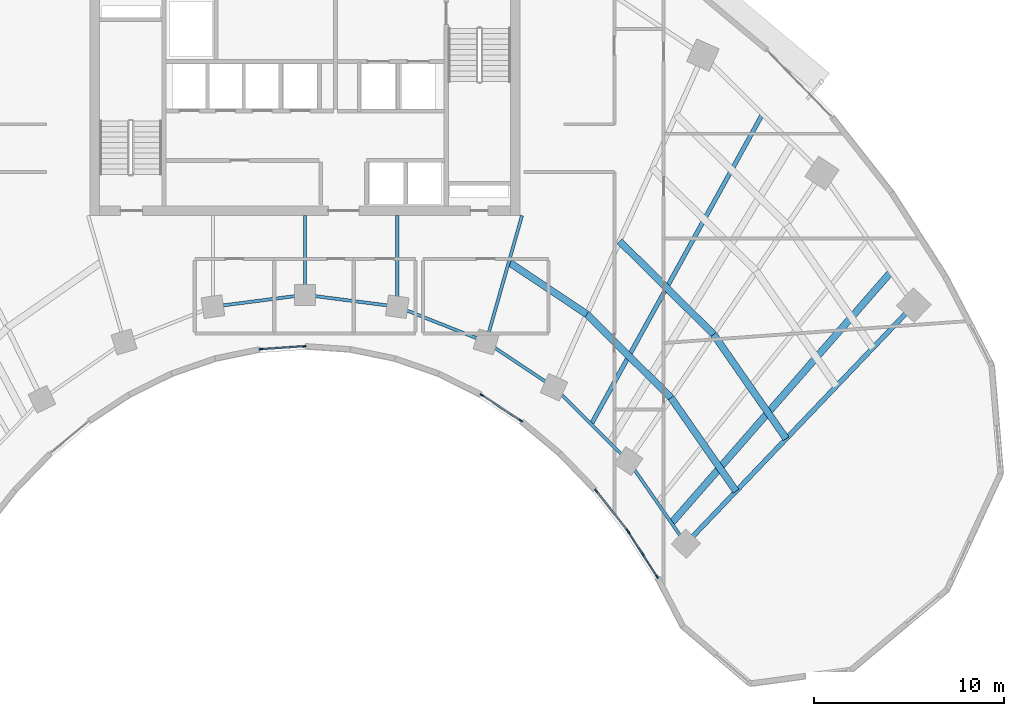
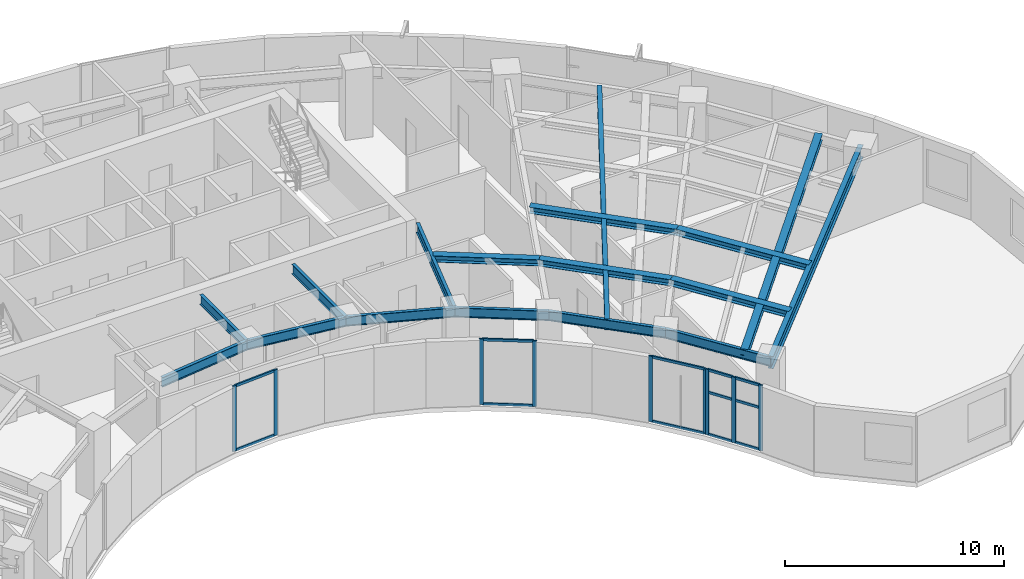
# One storey, part 3 of 14: 21 members, 17 beams, 4 elements without a shape of their own.
"""IFC4 building model written with IfcOpenShell, lengths in metres."""

from ifc_helpers import new_model, si_unit, direction, frame, origin, origin_2d, place, context, subcontext, project, spatial, rectangle, i_section, extrude, source, transform, mapped, material, layer, layer_set, material_profile, profile_set, type_object, type_shapes, element, aggregate, save


model = new_model("IFC4")

# Units and contexts
model_context = context("Model", 3, precision=1e-05, world=origin(), true_north=direction((0.0, 1.0)))
body_context = subcontext(model_context, "Body", "Model", "MODEL_VIEW")
ifc_project = project(units=[si_unit("LENGTHUNIT", "METRE"), si_unit("AREAUNIT", "SQUARE_METRE"), si_unit("VOLUMEUNIT", "CUBIC_METRE"), si_unit("PLANEANGLEUNIT", "RADIAN"), si_unit("MASSUNIT", "GRAM", prefix="KILO")], contexts=[model_context])

# Site, building, storey
site_placement = place(None, origin())
site = spatial("IfcSite", under=ifc_project, at=site_placement, CompositionType="ELEMENT")
building_placement = place(site_placement, origin())
building = spatial("IfcBuilding", under=site, at=building_placement, Name="Breltana Convention Tower", CompositionType="ELEMENT")
storey_placement = place(building_placement, frame((0.0, 0.0, 99.89990234375)))
storey = spatial("IfcBuildingStorey", under=building, at=storey_placement, Name="L23", CompositionType="ELEMENT", Elevation=99.89990234375)

# Beams
ifc_material_1 = material(Name="Steel ASTM A992 Grade 50", Category="steel")
ifc_material_profile_1 = material_profile(ifc_material_1, i_section(OverallWidth=0.25390625, OverallDepth=0.68798828125, WebThickness=0.01318359375, FlangeThickness=0.02099609375, at=origin_2d()), Name="W27X102")
ifc_profile_set_1 = profile_set([ifc_material_profile_1], Name="Steel ASTM A992 Grade 50")
beam_type_1 = type_object("IfcBeamType", Name="BM-RG-W27X102", PredefinedType="USERDEFINED", material=ifc_profile_set_1)
shared_shape_1 = source(origin(), body_context, "Body", "SweptSolid", [
    extrude(i_section(OverallWidth=0.25390625, OverallDepth=0.68798828125, WebThickness=0.01318359375, FlangeThickness=0.02099609375, at=origin_2d()), origin(), (0.0, 0.0, 1.0), 17.341064453125),
])
type_shapes(beam_type_1, [shared_shape_1])
beam_1_placement = place(storey_placement, frame((68.015380859375, 42.95458984375, 3.30615234375), z_axis=(0.690716462293, 0.723125693581, 0.0), x_axis=(-0.723125693581, 0.690716462293, 0.0)))
element("IfcBeam", 1, at=beam_1_placement, inside=storey, type_object=beam_type_1, Name="L23 Radial Floor Girder R11", ObjectType="GIRDER", PredefinedType="USERDEFINED", context=body_context, shape_type="MappedRepresentation", body=[
    mapped(shared_shape_1, transform((0.0, 0.0, 0.0), scale=1.0)),
])
ifc_material_profile_2 = material_profile(ifc_material_1, i_section(OverallWidth=0.166015625, OverallDepth=0.534912109375, WebThickness=0.01025390625, FlangeThickness=0.0166015625, at=origin_2d()), Name="W21X57")
ifc_profile_set_2 = profile_set([ifc_material_profile_2], Name="Steel ASTM A992 Grade 50")
beam_type_2 = type_object("IfcBeamType", Name="BM-BM-W21X57", PredefinedType="BEAM", material=ifc_profile_set_2)
shared_shape_2 = source(origin(), body_context, "Body", "SweptSolid", [
    extrude(i_section(OverallWidth=0.166015625, OverallDepth=0.534912109375, WebThickness=0.01025390625, FlangeThickness=0.0166015625, at=origin_2d()), origin(), (0.0, 0.0, 1.0), 6.904541015625),
])
type_shapes(beam_type_2, [shared_shape_2])
beam_2_placement = place(storey_placement, frame((59.39990234375, 60.199951171875, 3.382568359375), z_axis=(-0.273006781054, -0.962012108811, 0.0), x_axis=(0.962012108811, -0.273006781054, 0.0)))
element("IfcBeam", 2, at=beam_2_placement, inside=storey, type_object=beam_type_2, Name="L23 South Core Tie Girder R08", PredefinedType="BEAM", context=body_context, shape_type="MappedRepresentation", body=[
    mapped(shared_shape_2, transform((0.0, 0.0, 0.0), scale=1.0)),
])
shared_shape_3 = source(origin(), body_context, "Body", "SweptSolid", [
    extrude(i_section(OverallWidth=0.166015625, OverallDepth=0.534912109375, WebThickness=0.01025390625, FlangeThickness=0.0166015625, at=origin_2d()), origin(), (0.0, 0.0, 1.0), 4.789306640625),
])
beam_3_placement = place(storey_placement, frame((52.846435546875, 60.199951171875, 3.382568359375), z_axis=(0.0, -1.0, 0.0), x_axis=(1.0, 0.0, 0.0)))
element("IfcBeam", 3, at=beam_3_placement, inside=storey, type_object=beam_type_2, Name="L23 South Core Tie Girder R07", PredefinedType="BEAM", context=body_context, shape_type="MappedRepresentation", body=[
    mapped(shared_shape_3, transform((0.0, 0.0, 0.0), scale=1.0)),
])
shared_shape_4 = source(origin(), body_context, "Body", "SweptSolid", [
    extrude(i_section(OverallWidth=0.166015625, OverallDepth=0.534912109375, WebThickness=0.01025390625, FlangeThickness=0.0166015625, at=origin_2d()), origin(), (0.0, 0.0, 1.0), 4.1640625),
])
beam_4_placement = place(storey_placement, frame((48.0, 60.199951171875, 3.382568359375), z_axis=(0.0, -1.0, 0.0), x_axis=(1.0, 0.0, 0.0)))
element("IfcBeam", 4, at=beam_4_placement, inside=storey, type_object=beam_type_2, Name="L23 South Core Tie Girder R06", PredefinedType="BEAM", context=body_context, shape_type="MappedRepresentation", body=[
    mapped(shared_shape_4, transform((0.0, 0.0, 0.0), scale=1.0)),
])
shared_shape_5 = source(origin(), body_context, "Body", "SweptSolid", [
    extrude(i_section(OverallWidth=0.166015625, OverallDepth=0.534912109375, WebThickness=0.01025390625, FlangeThickness=0.0166015625, at=origin_2d()), origin(), (0.0, 0.0, 1.0), 5.022705078125),
])
beam_5_placement = place(storey_placement, frame((52.846435546875, 55.41064453125, 3.382568359375), z_axis=(0.929458966248, -0.368925507469, 0.0), x_axis=(0.368925507469, 0.929458966248, 0.0)))
element("IfcBeam", 5, at=beam_5_placement, inside=storey, type_object=beam_type_2, Name="L23 Inner Ring Beam 07", PredefinedType="BEAM", context=body_context, shape_type="MappedRepresentation", body=[
    mapped(shared_shape_5, transform((0.0, 0.0, 0.0), scale=1.0)),
])
shared_shape_6 = source(origin(), body_context, "Body", "SweptSolid", [
    extrude(i_section(OverallWidth=0.166015625, OverallDepth=0.534912109375, WebThickness=0.01025390625, FlangeThickness=0.0166015625, at=origin_2d()), origin(), (0.0, 0.0, 1.0), 4.88671875),
])
for number, where, z_axis, x_axis, name in (
    (6, (43.153564453125, 55.41064453125, 3.382568359375), (0.991780525565, 0.127950729231, 0.0), (-0.127950729231, 0.991780525565, 0.0), "L23 Inner Ring Beam 05"),
    (7, (48.0, 56.035888671875, 3.382568359375), (0.991780525565, -0.127950729231, 0.0), (0.127950729231, 0.991780525565, 0.0), "L23 Inner Ring Beam 06"),
):
    element("IfcBeam", number, at=place(storey_placement, frame(where, z_axis=z_axis, x_axis=x_axis)), inside=storey, type_object=beam_type_2, Name=name, PredefinedType="BEAM", context=body_context, shape_type="MappedRepresentation", body=[
        mapped(shared_shape_6, transform((0.0, 0.0, 0.0), scale=1.0)),
    ])
shared_shape_7 = source(origin(), body_context, "Body", "SweptSolid", [
    extrude(i_section(OverallWidth=0.166015625, OverallDepth=0.534912109375, WebThickness=0.01025390625, FlangeThickness=0.0166015625, at=origin_2d()), origin(), (0.0, 0.0, 1.0), 4.2900390625),
])
beam_6_placement = place(storey_placement, frame((57.514892578125, 53.5576171875, 3.382568359375), z_axis=(0.831515827753, -0.555501060482, 0.0), x_axis=(0.555501060482, 0.831515827753, 0.0)))
element("IfcBeam", 8, at=beam_6_placement, inside=storey, type_object=beam_type_2, Name="L23 Inner Ring Beam 08", PredefinedType="BEAM", context=body_context, shape_type="MappedRepresentation", body=[
    mapped(shared_shape_7, transform((0.0, 0.0, 0.0), scale=1.0)),
])
shared_shape_8 = source(origin(), body_context, "Body", "SweptSolid", [
    extrude(i_section(OverallWidth=0.166015625, OverallDepth=0.534912109375, WebThickness=0.01025390625, FlangeThickness=0.0166015625, at=origin_2d()), origin(), (0.0, 0.0, 1.0), 5.51171875),
])
beam_7_placement = place(storey_placement, frame((61.08203125, 51.174560546875, 3.382568359375), z_axis=(0.710090360749, -0.704110559196, 0.0), x_axis=(0.704110559196, 0.710090360749, 0.0)))
element("IfcBeam", 9, at=beam_7_placement, inside=storey, type_object=beam_type_2, Name="L23 Inner Ring Beam 09", PredefinedType="BEAM", context=body_context, shape_type="MappedRepresentation", body=[
    mapped(shared_shape_8, transform((0.0, 0.0, 0.0), scale=1.0)),
])
shared_shape_9 = source(origin(), body_context, "Body", "SweptSolid", [
    extrude(i_section(OverallWidth=0.166015625, OverallDepth=0.534912109375, WebThickness=0.01025390625, FlangeThickness=0.0166015625, at=origin_2d()), origin(), (0.0, 0.0, 1.0), 5.286376953125),
])
beam_8_placement = place(storey_placement, frame((64.995849609375, 47.293701171875, 3.382568359375), z_axis=(0.571194382458, -0.82081482531, 0.0), x_axis=(0.82081482531, 0.571194382458, 0.0)))
element("IfcBeam", 10, at=beam_8_placement, inside=storey, type_object=beam_type_2, Name="L23 Inner Ring Beam 10", PredefinedType="BEAM", context=body_context, shape_type="MappedRepresentation", body=[
    mapped(shared_shape_9, transform((0.0, 0.0, 0.0), scale=1.0)),
])
ifc_material_profile_3 = material_profile(ifc_material_1, i_section(OverallWidth=0.368896484375, OverallDepth=0.35595703125, WebThickness=0.01123046875, FlangeThickness=0.01806640625, at=origin_2d()), Name="W14X90")
ifc_profile_set_3 = profile_set([ifc_material_profile_3], Name="Steel ASTM A992 Grade 50")
beam_type_3 = type_object("IfcBeamType", Name="BM-JSG-09", PredefinedType="JOIST", material=ifc_profile_set_3)
shared_shape_10 = source(origin(), body_context, "Body", "SweptSolid", [
    extrude(i_section(OverallWidth=0.368896484375, OverallDepth=0.35595703125, WebThickness=0.01123046875, FlangeThickness=0.01806640625, at=origin_2d()), origin(), (0.0, 0.0, 1.0), 4.854736328125),
])
beam_9_placement = place(storey_placement, frame((58.767578125, 57.71240234375, 3.47216796875), z_axis=(0.831485074305, -0.555547091801, 0.0), x_axis=(0.555547091801, 0.831485074305, 0.0)))
element("IfcBeam", 11, at=beam_9_placement, inside=storey, type_object=beam_type_3, Name="L23 Composite Floor Joist 08.1", PredefinedType="JOIST", context=body_context, shape_type="MappedRepresentation", body=[
    mapped(shared_shape_10, transform((0.0, 0.0, 0.0), scale=1.0)),
])
shared_shape_11 = source(origin(), body_context, "Body", "SweptSolid", [
    extrude(i_section(OverallWidth=0.368896484375, OverallDepth=0.35595703125, WebThickness=0.01123046875, FlangeThickness=0.01806640625, at=origin_2d()), origin(), (0.0, 0.0, 1.0), 6.2373046875),
])
beam_10_placement = place(storey_placement, frame((62.80419921875, 55.015380859375, 3.47216796875), z_axis=(0.710114292485, -0.704086423394, 0.0), x_axis=(0.704086423394, 0.710114292485, 0.0)))
element("IfcBeam", 12, at=beam_10_placement, inside=storey, type_object=beam_type_3, Name="L23 Composite Floor Joist 09.1", PredefinedType="JOIST", context=body_context, shape_type="MappedRepresentation", body=[
    mapped(shared_shape_11, transform((0.0, 0.0, 0.0), scale=1.0)),
])
shared_shape_12 = source(origin(), body_context, "Body", "SweptSolid", [
    extrude(i_section(OverallWidth=0.368896484375, OverallDepth=0.35595703125, WebThickness=0.01123046875, FlangeThickness=0.01806640625, at=origin_2d()), origin(), (0.0, 0.0, 1.0), 6.963134765625),
])
beam_11_placement = place(storey_placement, frame((64.526611328125, 58.8564453125, 3.47216796875), z_axis=(0.71009817493, -0.704102678564, 0.0), x_axis=(0.704102678564, 0.71009817493, 0.0)))
element("IfcBeam", 13, at=beam_11_placement, inside=storey, type_object=beam_type_3, Name="L23 Composite Floor Joist 09.2", PredefinedType="JOIST", context=body_context, shape_type="MappedRepresentation", body=[
    mapped(shared_shape_12, transform((0.0, 0.0, 0.0), scale=1.0)),
])
ifc_material_profile_4 = material_profile(ifc_material_1, i_section(OverallWidth=0.22802734375, OverallDepth=0.60791015625, WebThickness=0.01123046875, FlangeThickness=0.017333984375, at=origin_2d()), Name="W24X76")
ifc_profile_set_4 = profile_set([ifc_material_profile_4], Name="Steel ASTM A992 Grade 50")
beam_type_4 = type_object("IfcBeamType", Name="BM-JSG-02", PredefinedType="JOIST", material=ifc_profile_set_4)
shared_shape_13 = source(origin(), body_context, "Body", "SweptSolid", [
    extrude(i_section(OverallWidth=0.22802734375, OverallDepth=0.60791015625, WebThickness=0.01123046875, FlangeThickness=0.017333984375, at=origin_2d()), origin(), (0.0, 0.0, 1.0), 18.617431640625),
])
beam_12_placement = place(storey_placement, frame((63.038818359375, 49.234130859375, 3.34619140625), z_axis=(0.483405602507, 0.875396495004, 0.0), x_axis=(-0.875396495004, 0.483405602507, 0.0)))
element("IfcBeam", 14, at=beam_12_placement, inside=storey, type_object=beam_type_4, Name="L23 Mid-Bay Radial Trimmer 09", PredefinedType="JOIST", context=body_context, shape_type="MappedRepresentation", body=[
    mapped(shared_shape_13, transform((0.0, 0.0, 0.0), scale=1.0)),
])
shared_shape_14 = source(origin(), body_context, "Body", "SweptSolid", [
    extrude(i_section(OverallWidth=0.368896484375, OverallDepth=0.35595703125, WebThickness=0.01123046875, FlangeThickness=0.01806640625, at=origin_2d()), origin(), (0.0, 0.0, 1.0), 5.982421875),
])
beam_13_placement = place(storey_placement, frame((67.2333984375, 50.623779296875, 3.47216796875), z_axis=(0.571211549446, -0.82080287876, 0.0), x_axis=(0.82080287876, 0.571211549446, 0.0)))
element("IfcBeam", 15, at=beam_13_placement, inside=storey, type_object=beam_type_3, Name="L23 Composite Floor Joist 10.1", PredefinedType="JOIST", context=body_context, shape_type="MappedRepresentation", body=[
    mapped(shared_shape_14, transform((0.0, 0.0, 0.0), scale=1.0)),
])
shared_shape_15 = source(origin(), body_context, "Body", "SweptSolid", [
    extrude(i_section(OverallWidth=0.368896484375, OverallDepth=0.35595703125, WebThickness=0.01123046875, FlangeThickness=0.01806640625, at=origin_2d()), origin(), (0.0, 0.0, 1.0), 6.677978515625),
])
beam_14_placement = place(storey_placement, frame((69.47119140625, 53.95361328125, 3.47216796875), z_axis=(0.571193018768, -0.820815774282, 0.0), x_axis=(0.820815774282, 0.571193018768, 0.0)))
element("IfcBeam", 16, at=beam_14_placement, inside=storey, type_object=beam_type_3, Name="L23 Composite Floor Joist 10.2", PredefinedType="JOIST", context=body_context, shape_type="MappedRepresentation", body=[
    mapped(shared_shape_15, transform((0.0, 0.0, 0.0), scale=1.0)),
])
shared_shape_16 = source(origin(), body_context, "Body", "SweptSolid", [
    extrude(i_section(OverallWidth=0.368896484375, OverallDepth=0.35595703125, WebThickness=0.01123046875, FlangeThickness=0.01806640625, at=origin_2d()), origin(), (0.0, 0.0, 1.0), 17.515625),
])
beam_15_placement = place(storey_placement, frame((67.260498046875, 44.03955078125, 3.47216796875), z_axis=(0.658051548324, 0.752972881151, 0.0), x_axis=(-0.752972881151, 0.658051548324, 0.0)))
element("IfcBeam", 17, at=beam_15_placement, inside=storey, type_object=beam_type_3, Name="L23 Quarter-Bay Radial Trimmer 10", PredefinedType="JOIST", context=body_context, shape_type="MappedRepresentation", body=[
    mapped(shared_shape_16, transform((0.0, 0.0, 0.0), scale=1.0)),
])

# Curtain wall, members
ifc_material_2 = material(Name="Aluminium Anodised Bronze Frame", Category="aluminium")
ifc_layer = layer(ifc_material_2, 0.18994140625, Name="Aluminium Anodised Bronze Frame")
ifc_layer_set = layer_set([ifc_layer], Name="Aluminium Anodised Bronze Frame")
curtain_wall_type = type_object("IfcCurtainWallType", Name="CW-SYS-1", PredefinedType="NOTDEFINED", material=ifc_layer_set)
curtain_wall_1_placement = place(storey_placement, origin())
curtain_wall_1 = element("IfcCurtainWall", 18, at=curtain_wall_1_placement, inside=storey, type_object=curtain_wall_type, Name="L23 inner south-court glazing 1", PredefinedType="NOTDEFINED")
ifc_material_3 = material(Name="Aluminium Anodised Bronze", Category="aluminium")
ifc_material_profile_5 = material_profile(ifc_material_3, rectangle(XDim=0.080078125, YDim=0.139892578125, at=origin_2d()), Name="CWT-80X140")
ifc_profile_set_5 = profile_set([ifc_material_profile_5], Name="Aluminium Anodised Bronze")
member_type_1 = type_object("IfcMemberType", Name="CWT-140", PredefinedType="USERDEFINED", material=ifc_profile_set_5)
shared_shape_17 = source(origin(), body_context, "Body", "SweptSolid", [
    extrude(rectangle(XDim=0.080078125, YDim=0.139892578125, at=origin_2d()), origin(), (0.0, 0.0, 1.0), 1.30029296875),
])
member_1_placement = place(storey_placement, frame((66.4794921875, 41.259521484375, 0.0400390625), z_axis=(-0.540188084224, 0.841544314735, 0.0), x_axis=(-0.841544314735, -0.540188084224, 0.0)))
member_1 = element("IfcMember", 19, at=member_1_placement, type_object=member_type_1, Name="CW-01 transom 1.1", ObjectType="TRANSOM", PredefinedType="USERDEFINED", context=body_context, shape_type="MappedRepresentation", body=[
    mapped(shared_shape_17, transform((0.0, 0.0, 0.0), scale=1.0)),
])
member_2_placement = place(storey_placement, frame((66.4794921875, 41.259521484375, 2.37255859375), z_axis=(-0.540188084224, 0.841544314735, 0.0), x_axis=(-0.841544314735, -0.540188084224, 0.0)))
member_2 = element("IfcMember", 20, at=member_2_placement, type_object=member_type_1, Name="CW-01 transom 1.2", ObjectType="TRANSOM", PredefinedType="USERDEFINED", context=body_context, shape_type="MappedRepresentation", body=[
    mapped(shared_shape_17, transform((0.0, 0.0, 0.0), scale=1.0)),
])
member_3_placement = place(storey_placement, frame((66.4794921875, 41.259521484375, 3.610107421875), z_axis=(-0.540188084224, 0.841544314735, 0.0), x_axis=(-0.841544314735, -0.540188084224, 0.0)))
member_3 = element("IfcMember", 21, at=member_3_placement, type_object=member_type_1, Name="CW-01 transom 1.3", ObjectType="TRANSOM", PredefinedType="USERDEFINED", context=body_context, shape_type="MappedRepresentation", body=[
    mapped(shared_shape_17, transform((0.0, 0.0, 0.0), scale=1.0)),
])
shared_shape_18 = source(origin(), body_context, "Body", "SweptSolid", [
    extrude(rectangle(XDim=0.080078125, YDim=0.139892578125, at=origin_2d()), origin(), (0.0, 0.0, 1.0), 1.300048828125),
])
member_4_placement = place(storey_placement, frame((65.73388671875, 42.4208984375, 0.0400390625), z_axis=(-0.540140453972, 0.841574886735, 0.0), x_axis=(-0.841574886735, -0.540140453972, 0.0)))
member_4 = element("IfcMember", 22, at=member_4_placement, type_object=member_type_1, Name="CW-01 transom 2.1", ObjectType="TRANSOM", PredefinedType="USERDEFINED", context=body_context, shape_type="MappedRepresentation", body=[
    mapped(shared_shape_18, transform((0.0, 0.0, 0.0), scale=1.0)),
])
member_5_placement = place(storey_placement, frame((65.73388671875, 42.4208984375, 2.37255859375), z_axis=(-0.540140453972, 0.841574886735, 0.0), x_axis=(-0.841574886735, -0.540140453972, 0.0)))
member_5 = element("IfcMember", 23, at=member_5_placement, type_object=member_type_1, Name="CW-01 transom 2.2", ObjectType="TRANSOM", PredefinedType="USERDEFINED", context=body_context, shape_type="MappedRepresentation", body=[
    mapped(shared_shape_18, transform((0.0, 0.0, 0.0), scale=1.0)),
])
member_6_placement = place(storey_placement, frame((65.73388671875, 42.4208984375, 3.610107421875), z_axis=(-0.540140453972, 0.841574886735, 0.0), x_axis=(-0.841574886735, -0.540140453972, 0.0)))
member_6 = element("IfcMember", 24, at=member_6_placement, type_object=member_type_1, Name="CW-01 transom 2.3", ObjectType="TRANSOM", PredefinedType="USERDEFINED", context=body_context, shape_type="MappedRepresentation", body=[
    mapped(shared_shape_18, transform((0.0, 0.0, 0.0), scale=1.0)),
])

curtain_wall_2_placement = place(storey_placement, origin())
curtain_wall_2 = element("IfcCurtainWall", 25, at=curtain_wall_2_placement, inside=storey, type_object=curtain_wall_type, Name="L23 inner south-court glazing 2", PredefinedType="NOTDEFINED")
shared_shape_19 = source(origin(), body_context, "Body", "SweptSolid", [
    extrude(rectangle(XDim=0.080078125, YDim=0.139892578125, at=origin_2d()), origin(), (0.0, 0.0, 1.0), 2.6005859375),
])
member_7_placement = place(storey_placement, frame((64.928955078125, 43.6591796875, 0.0400390625), z_axis=(-0.618078566977, 0.786116330478, 0.0), x_axis=(-0.786116330478, -0.618078566977, 0.0)))
member_7 = element("IfcMember", 26, at=member_7_placement, type_object=member_type_1, Name="CW-01 transom 1.1", ObjectType="TRANSOM", PredefinedType="USERDEFINED", context=body_context, shape_type="MappedRepresentation", body=[
    mapped(shared_shape_19, transform((0.0, 0.0, 0.0), scale=1.0)),
])
member_8_placement = place(storey_placement, frame((64.928955078125, 43.6591796875, 3.610107421875), z_axis=(-0.618078566977, 0.786116330478, 0.0), x_axis=(-0.786116330478, -0.618078566977, 0.0)))
member_8 = element("IfcMember", 27, at=member_8_placement, type_object=member_type_1, Name="CW-01 transom 1.2", ObjectType="TRANSOM", PredefinedType="USERDEFINED", context=body_context, shape_type="MappedRepresentation", body=[
    mapped(shared_shape_19, transform((0.0, 0.0, 0.0), scale=1.0)),
])

curtain_wall_3_placement = place(storey_placement, origin())
curtain_wall_3 = element("IfcCurtainWall", 28, at=curtain_wall_3_placement, inside=storey, type_object=curtain_wall_type, Name="L23 inner south-court glazing 3", PredefinedType="NOTDEFINED")
shared_shape_20 = source(origin(), body_context, "Body", "SweptSolid", [
    extrude(rectangle(XDim=0.080078125, YDim=0.139892578125, at=origin_2d()), origin(), (0.0, 0.0, 1.0), 2.3671875),
])
member_9_placement = place(storey_placement, frame((59.3037109375, 49.443115234375, 0.0400390625), z_axis=(-0.835979901311, 0.548760061051, 0.0), x_axis=(-0.548760061051, -0.835979901311, 0.0)))
member_9 = element("IfcMember", 29, at=member_9_placement, type_object=member_type_1, Name="CW-01 transom 1.1", ObjectType="TRANSOM", PredefinedType="USERDEFINED", context=body_context, shape_type="MappedRepresentation", body=[
    mapped(shared_shape_20, transform((0.0, 0.0, 0.0), scale=1.0)),
])
member_10_placement = place(storey_placement, frame((59.3037109375, 49.443115234375, 3.610107421875), z_axis=(-0.835979901311, 0.548760061051, 0.0), x_axis=(-0.548760061051, -0.835979901311, 0.0)))
member_10 = element("IfcMember", 30, at=member_10_placement, type_object=member_type_1, Name="CW-01 transom 1.2", ObjectType="TRANSOM", PredefinedType="USERDEFINED", context=body_context, shape_type="MappedRepresentation", body=[
    mapped(shared_shape_20, transform((0.0, 0.0, 0.0), scale=1.0)),
])

curtain_wall_4_placement = place(storey_placement, origin())
curtain_wall_4 = element("IfcCurtainWall", 31, at=curtain_wall_4_placement, inside=storey, type_object=curtain_wall_type, Name="L23 inner south-court glazing 4", PredefinedType="NOTDEFINED")
shared_shape_21 = source(origin(), body_context, "Body", "SweptSolid", [
    extrude(rectangle(XDim=0.080078125, YDim=0.139892578125, at=origin_2d()), origin(), (0.0, 0.0, 1.0), 2.195068359375),
])
member_11_placement = place(storey_placement, frame((47.907958984375, 53.3291015625, 0.0400390625), z_axis=(-0.99770320904, -0.067737040614, 0.0), x_axis=(0.067737040614, -0.99770320904, 0.0)))
member_11 = element("IfcMember", 32, at=member_11_placement, type_object=member_type_1, Name="CW-01 transom 1.1", ObjectType="TRANSOM", PredefinedType="USERDEFINED", context=body_context, shape_type="MappedRepresentation", body=[
    mapped(shared_shape_21, transform((0.0, 0.0, 0.0), scale=1.0)),
])
member_12_placement = place(storey_placement, frame((47.907958984375, 53.3291015625, 3.610107421875), z_axis=(-0.99770320904, -0.067737040614, 0.0), x_axis=(0.067737040614, -0.99770320904, 0.0)))
member_12 = element("IfcMember", 33, at=member_12_placement, type_object=member_type_1, Name="CW-01 transom 1.2", ObjectType="TRANSOM", PredefinedType="USERDEFINED", context=body_context, shape_type="MappedRepresentation", body=[
    mapped(shared_shape_21, transform((0.0, 0.0, 0.0), scale=1.0)),
])

# Member
ifc_material_profile_6 = material_profile(ifc_material_3, rectangle(XDim=0.080078125, YDim=0.199951171875, at=origin_2d()), Name="CWM-80X200")
ifc_profile_set_6 = profile_set([ifc_material_profile_6], Name="Aluminium Anodised Bronze")
member_type_2 = type_object("IfcMemberType", Name="CWM-200", PredefinedType="MULLION", material=ifc_profile_set_6)
shared_shape_22 = source(origin(), body_context, "Body", "SweptSolid", [
    extrude(rectangle(XDim=0.080078125, YDim=0.199951171875, at=origin_2d()), origin(), (0.0, 0.0, 1.0), 3.650146484375),
])
member_13_placement = place(storey_placement, frame((66.5009765625, 41.22607421875, 0.0), z_axis=(0.0, 0.0, 1.0), x_axis=(-0.841551235949, -0.5401773017, 0.0)))
member_13 = element("IfcMember", 34, at=member_13_placement, type_object=member_type_2, Name="CW-01 mullion 1", PredefinedType="MULLION", context=body_context, shape_type="MappedRepresentation", body=[
    mapped(shared_shape_22, transform((0.0, 0.0, 0.0), scale=1.0)),
])

member_14_placement = place(storey_placement, frame((65.755615234375, 42.38720703125, 0.0), z_axis=(0.0, 0.0, 1.0), x_axis=(-0.841551235949, -0.5401773017, 0.0)))
member_14 = element("IfcMember", 35, at=member_14_placement, type_object=member_type_2, Name="CW-01 mullion 2", PredefinedType="MULLION", context=body_context, shape_type="MappedRepresentation", body=[
    mapped(shared_shape_22, transform((0.0, 0.0, 0.0), scale=1.0)),
])

member_15_placement = place(storey_placement, frame((65.010009765625, 43.548583984375, 0.0), z_axis=(0.0, 0.0, 1.0), x_axis=(-0.841551235949, -0.5401773017, 0.0)))
member_15 = element("IfcMember", 36, at=member_15_placement, type_object=member_type_2, Name="CW-01 mullion 3", PredefinedType="MULLION", context=body_context, shape_type="MappedRepresentation", body=[
    mapped(shared_shape_22, transform((0.0, 0.0, 0.0), scale=1.0)),
])

aggregate(curtain_wall_1, [member_13, member_14, member_15, member_1, member_2, member_3, member_4, member_5, member_6])

member_16_placement = place(storey_placement, frame((64.953857421875, 43.6279296875, 0.0), z_axis=(0.0, 0.0, 1.0), x_axis=(-0.786054302547, -0.61815745037, 0.0)))
member_16 = element("IfcMember", 37, at=member_16_placement, type_object=member_type_2, Name="CW-01 mullion 1", PredefinedType="MULLION", context=body_context, shape_type="MappedRepresentation", body=[
    mapped(shared_shape_22, transform((0.0, 0.0, 0.0), scale=1.0)),
])

member_17_placement = place(storey_placement, frame((63.296630859375, 45.73486328125, 0.0), z_axis=(0.0, 0.0, 1.0), x_axis=(-0.786054302547, -0.61815745037, 0.0)))
member_17 = element("IfcMember", 38, at=member_17_placement, type_object=member_type_2, Name="CW-01 mullion 2", PredefinedType="MULLION", context=body_context, shape_type="MappedRepresentation", body=[
    mapped(shared_shape_22, transform((0.0, 0.0, 0.0), scale=1.0)),
])

aggregate(curtain_wall_2, [member_16, member_17, member_7, member_8])

member_18_placement = place(storey_placement, frame((59.337158203125, 49.421142578125, 0.0), z_axis=(0.0, 0.0, 1.0), x_axis=(-0.548778301858, -0.835967927261, 0.0)))
member_18 = element("IfcMember", 39, at=member_18_placement, type_object=member_type_2, Name="CW-01 mullion 1", PredefinedType="MULLION", context=body_context, shape_type="MappedRepresentation", body=[
    mapped(shared_shape_22, transform((0.0, 0.0, 0.0), scale=1.0)),
])

member_19_placement = place(storey_placement, frame((57.291259765625, 50.76416015625, 0.0), z_axis=(0.0, 0.0, 1.0), x_axis=(-0.548778301858, -0.835967927261, 0.0)))
member_19 = element("IfcMember", 40, at=member_19_placement, type_object=member_type_2, Name="CW-01 mullion 2", PredefinedType="MULLION", context=body_context, shape_type="MappedRepresentation", body=[
    mapped(shared_shape_22, transform((0.0, 0.0, 0.0), scale=1.0)),
])

aggregate(curtain_wall_3, [member_18, member_19, member_9, member_10])

member_20_placement = place(storey_placement, frame((47.947998046875, 53.331787109375, 0.0), z_axis=(0.0, 0.0, 1.0), x_axis=(0.067728021582, -0.997703821328, 0.0)))
member_20 = element("IfcMember", 41, at=member_20_placement, type_object=member_type_2, Name="CW-01 mullion 1", PredefinedType="MULLION", context=body_context, shape_type="MappedRepresentation", body=[
    mapped(shared_shape_22, transform((0.0, 0.0, 0.0), scale=1.0)),
])

member_21_placement = place(storey_placement, frame((45.67822265625, 53.177734375, 0.0), z_axis=(0.0, 0.0, 1.0), x_axis=(0.067728021582, -0.997703821328, 0.0)))
member_21 = element("IfcMember", 42, at=member_21_placement, type_object=member_type_2, Name="CW-01 mullion 2", PredefinedType="MULLION", context=body_context, shape_type="MappedRepresentation", body=[
    mapped(shared_shape_22, transform((0.0, 0.0, 0.0), scale=1.0)),
])

aggregate(curtain_wall_4, [member_20, member_21, member_11, member_12])

save(model, "model.ifc")
